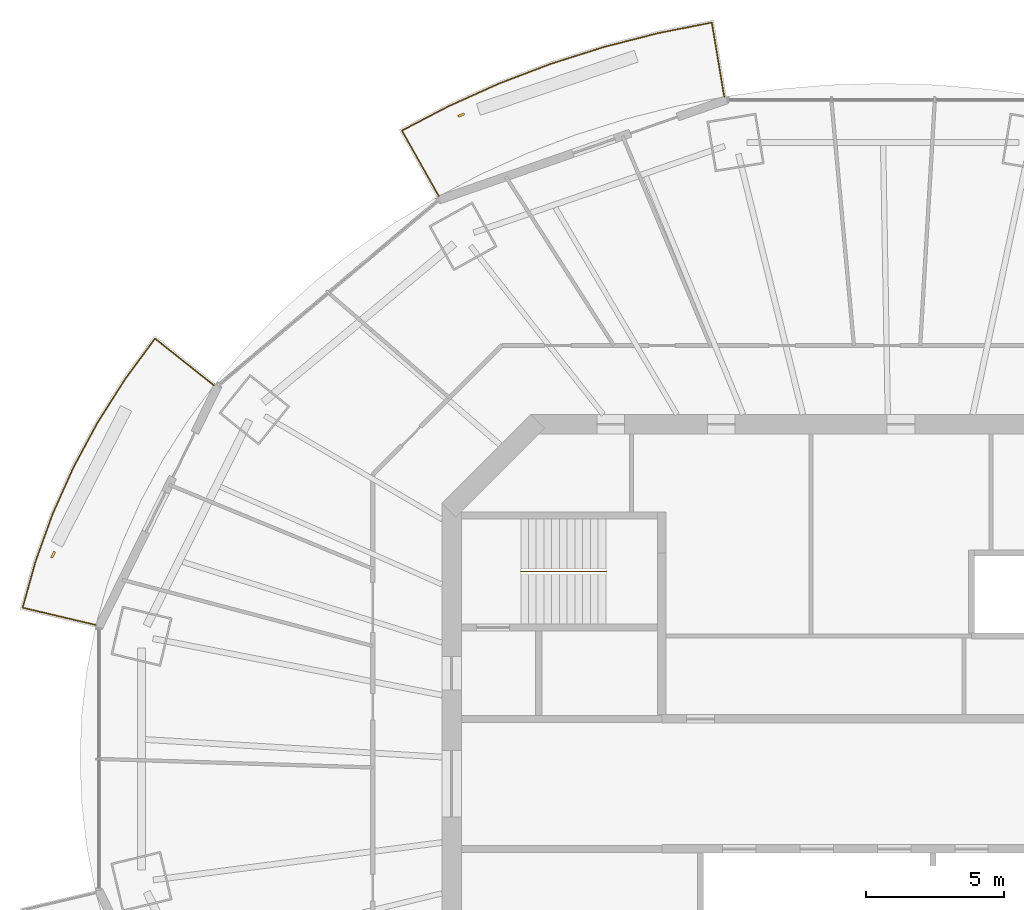
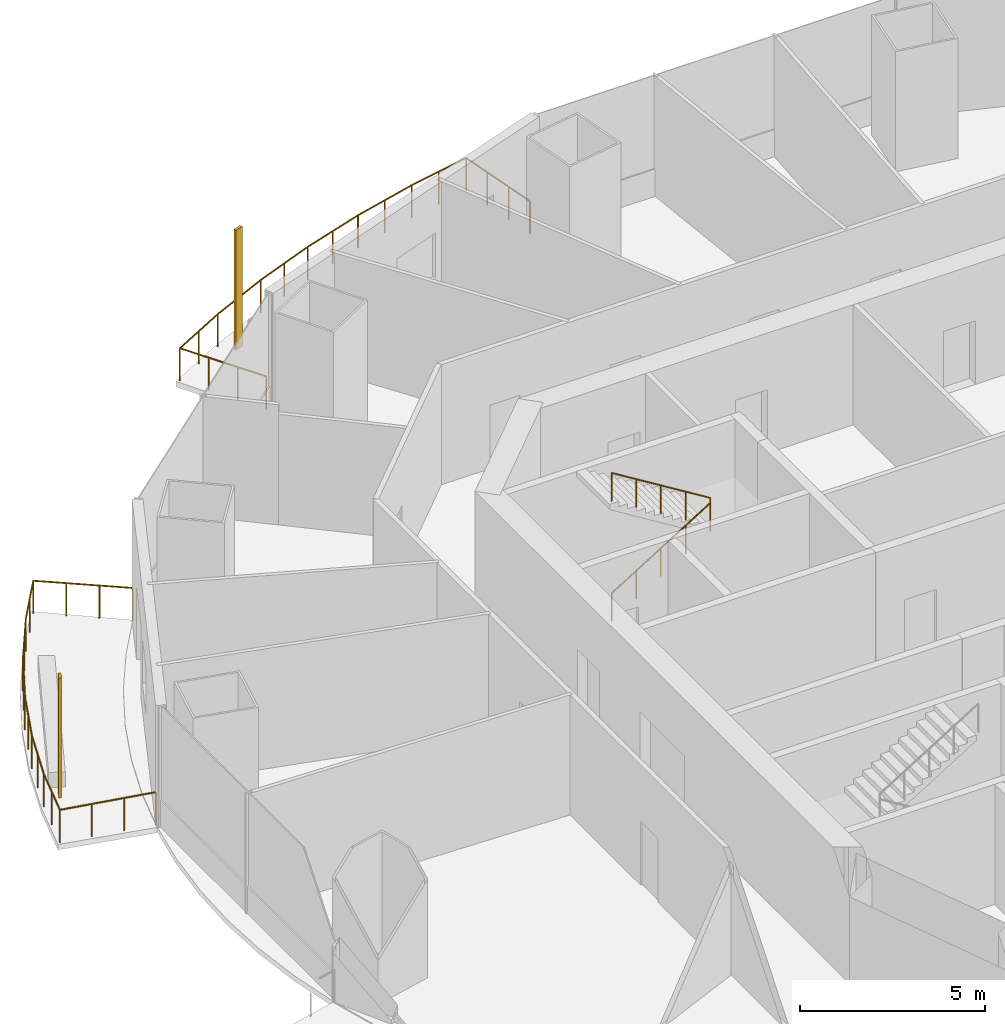
# One storey, part 14 of 16: 3 railings, 2 shading devices.
"""IFC4 building model written with IfcOpenShell, lengths in metres."""

from ifc_helpers import new_model, si_unit, direction, frame, origin, origin_2d, place, context, subcontext, project, spatial, rectangle, circle, extrude, material, material_profile, profile_set, type_object, element, save


model = new_model("IFC4")

# Units and contexts
model_context = context("Model", 3, precision=1e-05, world=origin(), true_north=direction((0.0, 1.0)))
body_context = subcontext(model_context, "Body", "Model", "MODEL_VIEW")
ifc_project = project(units=[si_unit("LENGTHUNIT", "METRE"), si_unit("AREAUNIT", "SQUARE_METRE"), si_unit("VOLUMEUNIT", "CUBIC_METRE"), si_unit("PLANEANGLEUNIT", "RADIAN"), si_unit("MASSUNIT", "GRAM", prefix="KILO")], contexts=[model_context])

# Site, building, storey
site_placement = place(None, origin())
site = spatial("IfcSite", under=ifc_project, at=site_placement, CompositionType="ELEMENT")
building_placement = place(site_placement, origin())
building = spatial("IfcBuilding", under=site, at=building_placement, Name="Marenthal Gate Tower", CompositionType="ELEMENT")
storey_placement = place(building_placement, frame((0.0, 0.0, 292.800048828125)))
storey = spatial("IfcBuildingStorey", under=building, at=storey_placement, Name="L65", CompositionType="ELEMENT", Elevation=292.800048828125)

# Railings
ifc_material_1 = material(Name="Stainless steel", Category="steel")
railing_type_1 = type_object("IfcRailingType", Name="Balcony guard 1100", PredefinedType="GUARDRAIL", material=ifc_material_1)
railing_1_placement = place(storey_placement, frame((-16.462890625, 21.24609375, 0.0)))
element("IfcRailing", 1, at=railing_1_placement, inside=storey, type_object=railing_type_1, Name="Balcony guard L65 bay 5", PredefinedType="GUARDRAIL", context=body_context, shape_type="SweptSolid", body=[
    extrude(circle(Radius=0.02392578125, at=origin_2d()), frame((0.0, 0.0, 1.076171875), z_axis=(-0.490178311325, 0.871497909425, -0.014717913412), x_axis=(-0.871592315383, -0.490231410423, 0.0)), (0.0, 0.0, 1.0), 2.720458984375),
    extrude(circle(Radius=0.02392578125, at=origin_2d()), frame((-1.33349609375, 2.370849609375, 1.0361328125), z_axis=(0.886708263063, 0.462329380654, 0.0), x_axis=(-0.462329380654, 0.886708263063, 0.0)), (0.0, 0.0, 1.0), 1.904296875),
    extrude(circle(Radius=0.02392578125, at=origin_2d()), frame((0.35498046875, 3.251220703125, 1.0361328125), z_axis=(0.912054102505, 0.410069889293, 0.0), x_axis=(-0.410069889293, 0.912054102505, 0.0)), (0.0, 0.0, 1.0), 1.99755859375),
    extrude(circle(Radius=0.02392578125, at=origin_2d()), frame((2.1767578125, 4.0703125, 1.0361328125), z_axis=(0.934433846475, 0.356136752614, 0.0), x_axis=(-0.356136752614, 0.934433846475, 0.0)), (0.0, 0.0, 1.0), 2.010009765625),
    extrude(circle(Radius=0.02392578125, at=origin_2d()), frame((4.054931640625, 4.7861328125, 1.0361328125), z_axis=(0.953335850503, 0.301911835054, 0.0), x_axis=(-0.301911835054, 0.953335850503, 0.0)), (0.0, 0.0, 1.0), 2.020751953125),
    extrude(circle(Radius=0.02392578125, at=origin_2d()), frame((5.9814453125, 5.396240234375, 1.0361328125), z_axis=(0.968985746555, 0.247116618165, 0.0), x_axis=(-0.247116618165, 0.968985746555, 0.0)), (0.0, 0.0, 1.0), 2.0302734375),
    extrude(circle(Radius=0.02392578125, at=origin_2d()), frame((7.94873046875, 5.89794921875, 1.0361328125), z_axis=(0.981076209682, 0.193621979113, 0.0), x_axis=(-0.193621979113, 0.981076209682, 0.0)), (0.0, 0.0, 1.0), 1.958251953125),
    extrude(circle(Radius=0.02392578125, at=origin_2d()), frame((9.869873046875, 6.277099609375, 1.0361328125), z_axis=(0.16513793129, -0.986160646201, 0.014718815615), x_axis=(0.986267486225, 0.165155822229, 0.0)), (0.0, 0.0, 1.0), 2.72021484375),
    extrude(circle(Radius=0.02099609375, at=origin_2d()), origin(), (0.0, 0.0, 1.0), 1.052001953125),
    extrude(circle(Radius=0.02099609375, at=origin_2d()), frame((-0.444580078125, 0.790283203125, -0.013427734375)), (0.0, 0.0, 1.0), 1.052001953125),
    extrude(circle(Radius=0.02099609375, at=origin_2d()), frame((-0.888916015625, 1.58056640625, -0.026611328125)), (0.0, 0.0, 1.0), 1.052001953125),
    extrude(circle(Radius=0.02099609375, at=origin_2d()), frame((-1.33349609375, 2.370849609375, -0.0400390625)), (0.0, 0.0, 1.0), 1.052001953125),
    extrude(circle(Radius=0.02099609375, at=origin_2d()), frame((-0.4892578125, 2.81103515625, -0.0400390625)), (0.0, 0.0, 1.0), 1.052001953125),
    extrude(circle(Radius=0.02099609375, at=origin_2d()), frame((0.35498046875, 3.251220703125, -0.0400390625)), (0.0, 0.0, 1.0), 1.052001953125),
    extrude(circle(Radius=0.02099609375, at=origin_2d()), frame((1.265869140625, 3.66064453125, -0.0400390625)), (0.0, 0.0, 1.0), 1.052001953125),
    extrude(circle(Radius=0.02099609375, at=origin_2d()), frame((2.1767578125, 4.0703125, -0.0400390625)), (0.0, 0.0, 1.0), 1.052001953125),
    extrude(circle(Radius=0.02099609375, at=origin_2d()), frame((3.11572265625, 4.42822265625, -0.0400390625)), (0.0, 0.0, 1.0), 1.052001953125),
    extrude(circle(Radius=0.02099609375, at=origin_2d()), frame((4.054931640625, 4.7861328125, -0.0400390625)), (0.0, 0.0, 1.0), 1.052001953125),
    extrude(circle(Radius=0.02099609375, at=origin_2d()), frame((5.01806640625, 5.09130859375, -0.0400390625)), (0.0, 0.0, 1.0), 1.052001953125),
    extrude(circle(Radius=0.02099609375, at=origin_2d()), frame((5.9814453125, 5.396240234375, -0.0400390625)), (0.0, 0.0, 1.0), 1.052001953125),
    extrude(circle(Radius=0.02099609375, at=origin_2d()), frame((6.965087890625, 5.64697265625, -0.0400390625)), (0.0, 0.0, 1.0), 1.052001953125),
    extrude(circle(Radius=0.02099609375, at=origin_2d()), frame((7.94873046875, 5.89794921875, -0.0400390625)), (0.0, 0.0, 1.0), 1.052001953125),
    extrude(circle(Radius=0.02099609375, at=origin_2d()), frame((8.9091796875, 6.08740234375, -0.0400390625)), (0.0, 0.0, 1.0), 1.052001953125),
    extrude(circle(Radius=0.02099609375, at=origin_2d()), frame((9.869873046875, 6.277099609375, -0.0400390625)), (0.0, 0.0, 1.0), 1.052001953125),
    extrude(circle(Radius=0.02099609375, at=origin_2d()), frame((10.01953125, 5.3828125, -0.026611328125)), (0.0, 0.0, 1.0), 1.052001953125),
    extrude(circle(Radius=0.02099609375, at=origin_2d()), frame((10.16943359375, 4.48876953125, -0.013427734375)), (0.0, 0.0, 1.0), 1.052001953125),
    extrude(circle(Radius=0.02099609375, at=origin_2d()), frame((10.319091796875, 3.594482421875, 0.0)), (0.0, 0.0, 1.0), 1.052001953125),
])
railing_2_placement = place(storey_placement, frame((-28.861572265625, 5.742431640625, 0.0)))
element("IfcRailing", 2, at=railing_2_placement, inside=storey, type_object=railing_type_1, Name="Balcony guard L65 bay 7", PredefinedType="GUARDRAIL", context=body_context, shape_type="SweptSolid", body=[
    extrude(circle(Radius=0.02392578125, at=origin_2d()), frame((0.0, 0.0, 1.076171875), z_axis=(-0.973097096147, 0.229924814196, -0.014718059925), x_axis=(-0.229949721547, -0.973202510046, 0.0)), (0.0, 0.0, 1.0), 2.720458984375),
    extrude(circle(Radius=0.02392578125, at=origin_2d()), frame((-2.647216796875, 0.62548828125, 1.0361328125), z_axis=(0.268792920524, 0.963197988929, 0.0), x_axis=(-0.963197988929, 0.268792920524, 0.0)), (0.0, 0.0, 1.0), 1.7421875),
    extrude(circle(Radius=0.02392578125, at=origin_2d()), frame((-2.178955078125, 2.303466796875, 1.0361328125), z_axis=(0.339224848664, 0.94070532158, 0.0), x_axis=(-0.94070532158, 0.339224848664, 0.0)), (0.0, 0.0, 1.0), 1.830322265625),
    extrude(circle(Radius=0.02392578125, at=origin_2d()), frame((-1.55810546875, 4.025146484375, 1.0361328125), z_axis=(0.408427160426, 0.912790915066, 0.0), x_axis=(-0.912790915066, 0.408427160426, 0.0)), (0.0, 0.0, 1.0), 1.83984375),
    extrude(circle(Radius=0.02392578125, at=origin_2d()), frame((-0.806640625, 5.70458984375, 1.0361328125), z_axis=(0.474178476771, 0.880428743379, 0.0), x_axis=(-0.880428743379, 0.474178476771, 0.0)), (0.0, 0.0, 1.0), 1.85107421875),
    extrude(circle(Radius=0.02392578125, at=origin_2d()), frame((0.071044921875, 7.334228515625, 1.0361328125), z_axis=(0.536341470097, 0.844001082614, 0.0), x_axis=(-0.844001082614, 0.536341470097, 0.0)), (0.0, 0.0, 1.0), 1.864013671875),
    extrude(circle(Radius=0.02392578125, at=origin_2d()), frame((1.07080078125, 8.907470703125, 1.0361328125), z_axis=(0.593175870863, 0.805072907398, 0.0), x_axis=(-0.805072907398, 0.593175870863, 0.0)), (0.0, 0.0, 1.0), 1.79736328125),
    extrude(circle(Radius=0.02392578125, at=origin_2d()), frame((2.136962890625, 10.3544921875, 1.0361328125), z_axis=(0.783212380728, -0.621580033106, 0.014718325936), x_axis=(0.621647370214, 0.783297227817, 0.0)), (0.0, 0.0, 1.0), 2.720458984375),
    extrude(circle(Radius=0.02099609375, at=origin_2d()), origin(), (0.0, 0.0, 1.0), 1.052001953125),
    extrude(circle(Radius=0.02099609375, at=origin_2d()), frame((-0.88232421875, 0.20849609375, -0.013427734375)), (0.0, 0.0, 1.0), 1.052001953125),
    extrude(circle(Radius=0.02099609375, at=origin_2d()), frame((-1.764892578125, 0.4169921875, -0.026611328125)), (0.0, 0.0, 1.0), 1.052001953125),
    extrude(circle(Radius=0.02099609375, at=origin_2d()), frame((-2.647216796875, 0.62548828125, -0.0400390625)), (0.0, 0.0, 1.0), 1.052001953125),
    extrude(circle(Radius=0.02099609375, at=origin_2d()), frame((-2.4130859375, 1.46435546875, -0.0400390625)), (0.0, 0.0, 1.0), 1.052001953125),
    extrude(circle(Radius=0.02099609375, at=origin_2d()), frame((-2.178955078125, 2.303466796875, -0.0400390625)), (0.0, 0.0, 1.0), 1.052001953125),
    extrude(circle(Radius=0.02099609375, at=origin_2d()), frame((-1.86865234375, 3.164306640625, -0.0400390625)), (0.0, 0.0, 1.0), 1.052001953125),
    extrude(circle(Radius=0.02099609375, at=origin_2d()), frame((-1.55810546875, 4.025146484375, -0.0400390625)), (0.0, 0.0, 1.0), 1.052001953125),
    extrude(circle(Radius=0.02099609375, at=origin_2d()), frame((-1.182373046875, 4.86474609375, -0.0400390625)), (0.0, 0.0, 1.0), 1.052001953125),
    extrude(circle(Radius=0.02099609375, at=origin_2d()), frame((-0.806640625, 5.70458984375, -0.0400390625)), (0.0, 0.0, 1.0), 1.052001953125),
    extrude(circle(Radius=0.02099609375, at=origin_2d()), frame((-0.36767578125, 6.51953125, -0.0400390625)), (0.0, 0.0, 1.0), 1.052001953125),
    extrude(circle(Radius=0.02099609375, at=origin_2d()), frame((0.071044921875, 7.334228515625, -0.0400390625)), (0.0, 0.0, 1.0), 1.052001953125),
    extrude(circle(Radius=0.02099609375, at=origin_2d()), frame((0.57080078125, 8.120849609375, -0.0400390625)), (0.0, 0.0, 1.0), 1.052001953125),
    extrude(circle(Radius=0.02099609375, at=origin_2d()), frame((1.07080078125, 8.907470703125, -0.0400390625)), (0.0, 0.0, 1.0), 1.052001953125),
    extrude(circle(Radius=0.02099609375, at=origin_2d()), frame((1.60400390625, 9.630859375, -0.0400390625)), (0.0, 0.0, 1.0), 1.052001953125),
    extrude(circle(Radius=0.02099609375, at=origin_2d()), frame((2.136962890625, 10.3544921875, -0.0400390625)), (0.0, 0.0, 1.0), 1.052001953125),
    extrude(circle(Radius=0.02099609375, at=origin_2d()), frame((2.84716796875, 9.790771484375, -0.026611328125)), (0.0, 0.0, 1.0), 1.052001953125),
    extrude(circle(Radius=0.02099609375, at=origin_2d()), frame((3.557373046875, 9.227294921875, -0.013427734375)), (0.0, 0.0, 1.0), 1.052001953125),
    extrude(circle(Radius=0.02099609375, at=origin_2d()), frame((4.267578125, 8.66357421875, 0.0)), (0.0, 0.0, 1.0), 1.052001953125),
])
ifc_material_2 = material(Name="Stainless steel", Category="steel")
railing_type_2 = type_object("IfcRailingType", Name="Stair handrail", PredefinedType="HANDRAIL", material=ifc_material_2)
railing_3_placement = place(storey_placement, frame((-13.5, 7.675048828125, 0.1728515625)))
element("IfcRailing", 3, at=railing_3_placement, inside=storey, type_object=railing_type_2, Name="Handrail ST1", PredefinedType="HANDRAIL", context=body_context, shape_type="SweptSolid", body=[
    extrude(circle(Radius=0.0224609375, at=origin_2d()), frame((0.0, 0.0, 0.927490234375), z_axis=(0.850835241893, 0.0, 0.525432575268), x_axis=(0.0, 1.0, 0.0)), (0.0, 0.0, 1.0), 3.6201171875),
    extrude(circle(Radius=0.0224609375, at=origin_2d()), frame((3.080078125, 0.0, 2.82958984375), z_axis=(0.0, 0.0, 1.0), x_axis=(1.0, 0.0, 0.0)), (0.0, 0.0, 1.0), 0.1728515625),
    extrude(circle(Radius=0.0224609375, at=origin_2d()), frame((3.080078125, 0.0, 3.00244140625), z_axis=(-0.850835241893, 0.0, 0.525432575268), x_axis=(0.0, -1.0, 0.0)), (0.0, 0.0, 1.0), 3.6201171875),
    extrude(circle(Radius=0.02001953125, at=origin_2d()), origin(), (0.0, 0.0, 1.0), 0.905029296875),
    extrude(circle(Radius=0.02001953125, at=origin_2d()), frame((0.77001953125, 0.0, 0.4755859375)), (0.0, 0.0, 1.0), 0.905029296875),
    extrude(circle(Radius=0.02001953125, at=origin_2d()), frame((1.5400390625, 0.0, 0.951171875)), (0.0, 0.0, 1.0), 0.905029296875),
    extrude(circle(Radius=0.02001953125, at=origin_2d()), frame((2.31005859375, 0.0, 1.426513671875)), (0.0, 0.0, 1.0), 0.905029296875),
    extrude(circle(Radius=0.02001953125, at=origin_2d()), frame((3.080078125, 0.0, 1.902099609375)), (0.0, 0.0, 1.0), 0.905029296875),
    extrude(circle(Radius=0.02001953125, at=origin_2d()), frame((3.080078125, 0.0, 2.074951171875)), (0.0, 0.0, 1.0), 0.905029296875),
    extrude(circle(Radius=0.02001953125, at=origin_2d()), frame((2.31005859375, 0.0, 2.550537109375)), (0.0, 0.0, 1.0), 0.905029296875),
    extrude(circle(Radius=0.02001953125, at=origin_2d()), frame((1.5400390625, 0.0, 3.02587890625)), (0.0, 0.0, 1.0), 0.905029296875),
    extrude(circle(Radius=0.02001953125, at=origin_2d()), frame((0.77001953125, 0.0, 3.50146484375)), (0.0, 0.0, 1.0), 0.905029296875),
    extrude(circle(Radius=0.02001953125, at=origin_2d()), frame((0.0, 0.0, 3.97705078125)), (0.0, 0.0, 1.0), 0.905029296875),
])

# Shading devices
ifc_material_3 = material(Name="Terracotta", Category="masonry")
ifc_material_profile = material_profile(ifc_material_3, rectangle(XDim=0.25, YDim=0.080078125, at=origin_2d()), Name="Terracotta baguette 250x80")
ifc_profile_set = profile_set([ifc_material_profile], Name="Terracotta")
shading_device_type = type_object("IfcShadingDeviceType", Name="Terracotta BAGUETTE SCREEN 250x80", PredefinedType="USERDEFINED", material=ifc_profile_set)
for number, where, z_axis, x_axis, name in (
    (4, (-15.6533203125, 24.1767578125, -0.0400390625), (0.0, 0.0, 1.0), (-0.944304873933, -0.329071884345, 0.0), "Terracotta BAGUETTE L65 bay 5R"),
    (5, (-30.40234375, 8.28515625, -0.0400390625), (0.0, 0.0, 1.0), (-0.441711416968, -0.897157190307, 0.0), "Terracotta BAGUETTE L65 bay 7R"),
):
    element("IfcShadingDevice", number, at=place(storey_placement, frame(where, z_axis=z_axis, x_axis=x_axis)), inside=storey, type_object=shading_device_type, Name=name, ObjectType="BAGUETTE SCREEN", PredefinedType="USERDEFINED", context=body_context, shape_type="SweptSolid", body=[
        extrude(rectangle(XDim=0.25, YDim=0.080078125, at=origin_2d()), origin(), (0.0, 0.0, 1.0), 3.969970703125),
    ])

save(model, "model.ifc")
